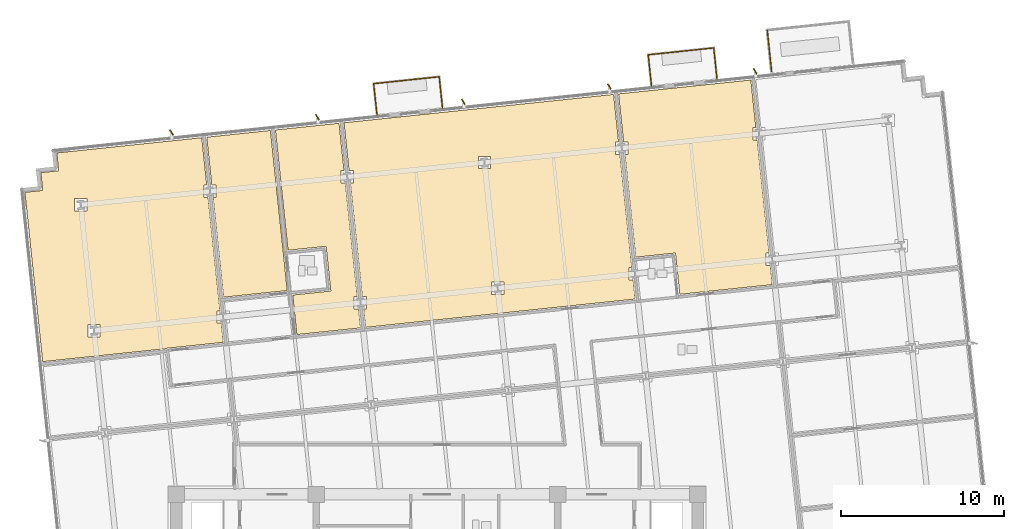
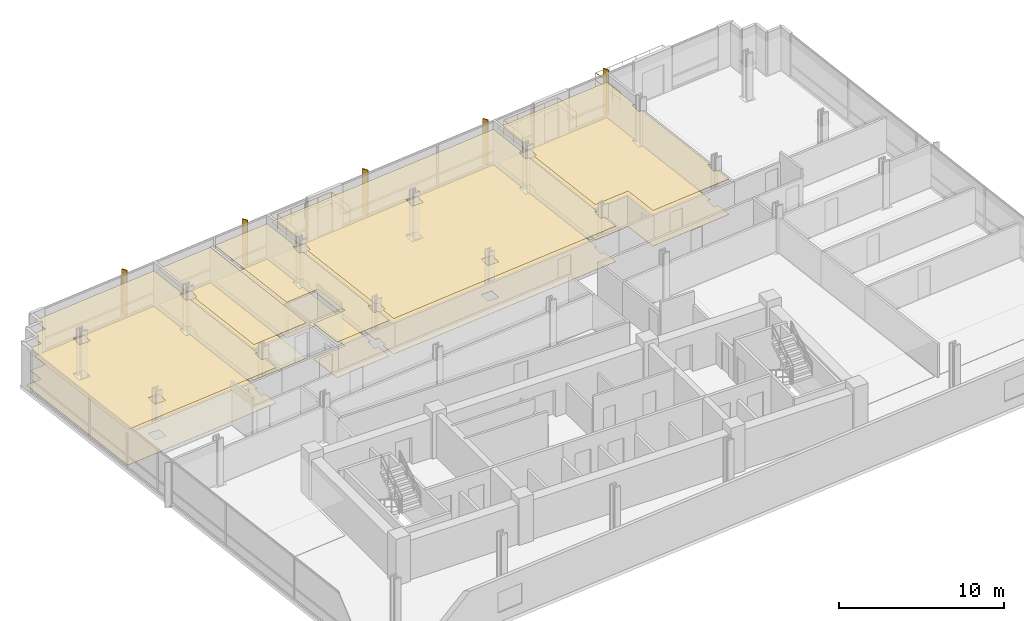
# One storey, part 19 of 21: 10 coverings, 7 railings, 5 shading devices.
"""IFC4 building model written with IfcOpenShell, lengths in metres."""

from ifc_helpers import new_model, si_unit, direction, frame, origin, origin_2d, place, context, subcontext, project, spatial, polyline, rectangle, circle, outline, extrude, material, layer, layer_set, type_object, element, save


model = new_model("IFC4")

# Units and contexts
model_context = context("Model", 3, precision=1e-05, world=origin(), true_north=direction((0.0, 1.0)))
body_context = subcontext(model_context, "Body", "Model", "MODEL_VIEW")
ifc_project = project(units=[si_unit("LENGTHUNIT", "METRE"), si_unit("AREAUNIT", "SQUARE_METRE"), si_unit("VOLUMEUNIT", "CUBIC_METRE"), si_unit("PLANEANGLEUNIT", "RADIAN"), si_unit("MASSUNIT", "GRAM", prefix="KILO")], contexts=[model_context])

# Site, building, storey
site_placement = place(None, origin())
site = spatial("IfcSite", under=ifc_project, at=site_placement, CompositionType="ELEMENT")
building_placement = place(site_placement, origin())
building = spatial("IfcBuilding", under=site, at=building_placement, Name="Solmavex Isthmus Hotel", CompositionType="ELEMENT")
storey_placement = place(building_placement, frame((0.0, 0.0, 106.35009765625)))
storey = spatial("IfcBuildingStorey", under=building, at=storey_placement, Name="L28", CompositionType="ELEMENT", Elevation=106.35009765625)

# Coverings
ifc_material_1 = material(Name="Gypsum plasterboard lining", Category="gypsum")
ifc_layer_1 = layer(ifc_material_1, 0.030029296875)
ifc_layer_set_1 = layer_set([ifc_layer_1], Name="Gypsum plasterboard lining")
covering_type_1 = type_object("IfcCoveringType", Name="COV-CEIL-GYP", PredefinedType="CEILING", material=ifc_layer_set_1)
covering_1_placement = place(storey_placement, frame((0.0, 0.0, 2.619873046875)))
element("IfcCovering", 1, at=covering_1_placement, inside=storey, type_object=covering_type_1, Name="Suspended Acoustic Ceiling L28-RM01", PredefinedType="CEILING", context=body_context, shape_type="SweptSolid", body=[
    extrude(outline(polyline([(-16.688232421875, 6.43505859375), (-16.690185546875, 6.455078125), (-13.10986328125, 6.831298828125), (-13.23291015625, 8.002197265625), (-13.4970703125, 8.002197265625), (-13.4970703125, 8.76220703125), (-13.31298828125, 8.76220703125), (-14.043212890625, 15.711669921875), (-14.307373046875, 15.711669921875), (-14.307373046875, 16.4716796875), (-14.123291015625, 16.4716796875), (-14.42919921875, 19.38232421875), (-22.49755859375, 18.5341796875), (-23.318115234375, 18.447998046875), (-23.203125, 17.35400390625), (-24.297119140625, 17.239013671875), (-24.18212890625, 16.14501953125), (-25.276123046875, 16.030029296875), (-25.18994140625, 15.20947265625), (-24.184814453125, 5.647216796875), (-16.688232421875, 6.43505859375)]), holes=[polyline([(-21.42138671875, 7.169189453125), (-21.42138671875, 7.92919921875), (-20.661376953125, 7.92919921875), (-20.661376953125, 7.169189453125), (-21.42138671875, 7.169189453125)]), polyline([(-22.231689453125, 14.878662109375), (-22.231689453125, 15.638671875), (-21.4716796875, 15.638671875), (-21.4716796875, 14.878662109375), (-22.231689453125, 14.878662109375)])]), origin(), (0.0, 0.0, 1.0), 0.030029296875),
])
covering_2_placement = place(storey_placement, frame((0.0, 0.0, 2.619873046875)))
element("IfcCovering", 2, at=covering_2_placement, inside=storey, type_object=covering_type_1, Name="Suspended Acoustic Ceiling L28-SL02-BD", PredefinedType="CEILING", context=body_context, shape_type="SweptSolid", body=[
    extrude(outline(polyline([(-13.8115234375, 16.4716796875), (-13.54736328125, 16.4716796875), (-13.54736328125, 15.711669921875), (-13.731689453125, 15.711669921875), (-13.089111328125, 9.5986328125), (-9.1875, 10.0087890625), (-10.21923828125, 19.82470703125), (-14.120849609375, 19.41455078125), (-13.927978515625, 17.5810546875), (-13.8115234375, 16.4716796875)])), origin(), (0.0, 0.0, 1.0), 0.030029296875),
])
covering_3_placement = place(storey_placement, frame((0.0, 0.0, 2.619873046875)))
element("IfcCovering", 3, at=covering_3_placement, inside=storey, type_object=covering_type_1, Name="Suspended Acoustic Ceiling L28-SV02", PredefinedType="CEILING", context=body_context, shape_type="SweptSolid", body=[
    extrude(outline(polyline([(-9.13525390625, 12.477783203125), (-6.79833984375, 12.723388671875), (-6.509765625, 9.978515625), (-8.846923828125, 9.73291015625), (-8.591796875, 7.30615234375), (-4.6904296875, 7.71630859375), (-4.8134765625, 8.886962890625), (-5.077392578125, 8.886962890625), (-5.077392578125, 9.64697265625), (-4.893310546875, 9.64697265625), (-5.623779296875, 16.5966796875), (-5.8876953125, 16.5966796875), (-5.8876953125, 17.356689453125), (-5.70361328125, 17.356689453125), (-6.009521484375, 20.26708984375), (-9.910888671875, 19.857177734375), (-9.13525390625, 12.477783203125)])), origin(), (0.0, 0.0, 1.0), 0.030029296875),
])
covering_4_placement = place(storey_placement, frame((0.0, 0.0, 2.619873046875)))
element("IfcCovering", 4, at=covering_4_placement, inside=storey, type_object=covering_type_1, Name="Suspended Acoustic Ceiling L28-RM03", PredefinedType="CEILING", context=body_context, shape_type="SweptSolid", body=[
    extrude(outline(polyline([(-4.58154296875, 9.64697265625), (-4.3173828125, 9.64697265625), (-4.3173828125, 8.886962890625), (-4.501708984375, 8.886962890625), (-4.382080078125, 7.748779296875), (6.9794921875, 8.94287109375), (9.28173828125, 9.184814453125), (12.14892578125, 9.486083984375), (12.02587890625, 10.656982421875), (11.76171875, 10.656982421875), (11.76171875, 11.4169921875), (11.946044921875, 11.4169921875), (11.215576171875, 18.366455078125), (10.951416015625, 18.366455078125), (10.951416015625, 19.12646484375), (11.1357421875, 19.12646484375), (10.829833984375, 22.037109375), (-5.701171875, 20.299560546875), (-5.391845703125, 17.356689453125), (-5.127685546875, 17.356689453125), (-5.127685546875, 16.5966796875), (-5.31201171875, 16.5966796875), (-4.58154296875, 9.64697265625)]), holes=[polyline([(3.34228515625, 9.77197265625), (3.34228515625, 10.531982421875), (4.10205078125, 10.531982421875), (4.10205078125, 9.77197265625), (3.34228515625, 9.77197265625)]), polyline([(2.53173828125, 17.4814453125), (2.53173828125, 18.241455078125), (3.291748046875, 18.241455078125), (3.291748046875, 17.4814453125), (2.53173828125, 17.4814453125)])]), origin(), (0.0, 0.0, 1.0), 0.030029296875),
])
covering_5_placement = place(storey_placement, frame((0.0, 0.0, 2.619873046875)))
element("IfcCovering", 5, at=covering_5_placement, inside=storey, type_object=covering_type_1, Name="Suspended Acoustic Ceiling L28-RM04", PredefinedType="CEILING", context=body_context, shape_type="SweptSolid", body=[
    extrude(outline(polyline([(11.447509765625, 19.12646484375), (11.71142578125, 19.12646484375), (11.71142578125, 18.366455078125), (11.52734375, 18.366455078125), (11.71142578125, 16.614501953125), (12.190673828125, 12.0546875), (14.627197265625, 12.310791015625), (14.893798828125, 9.774658203125), (20.568603515625, 10.37109375), (20.445556640625, 11.541748046875), (20.181396484375, 11.541748046875), (20.181396484375, 12.3017578125), (20.36572265625, 12.3017578125), (19.63525390625, 19.25146484375), (19.37109375, 19.25146484375), (19.37109375, 20.011474609375), (19.555419921875, 20.011474609375), (19.24951171875, 22.921875), (11.13818359375, 22.0693359375), (11.447509765625, 19.12646484375)])), origin(), (0.0, 0.0, 1.0), 0.030029296875),
])
ifc_material_2 = material(Name="Travertine natural stone", Category="masonry")
ifc_layer_2 = layer(ifc_material_2, 0.02490234375)
ifc_layer_set_2 = layer_set([ifc_layer_2], Name="Travertine natural stone")
covering_type_2 = type_object("IfcCoveringType", Name="COV-FLOR-STN", PredefinedType="FLOORING", material=ifc_layer_set_2)
covering_6_placement = place(storey_placement, origin())
element("IfcCovering", 6, at=covering_6_placement, inside=storey, type_object=covering_type_2, Name="Stone and Timber Floor Finish L28-RM01", PredefinedType="FLOORING", context=body_context, shape_type="SweptSolid", body=[
    extrude(outline(polyline([(-16.688232421875, 6.43505859375), (-16.690185546875, 6.455078125), (-13.10986328125, 6.831298828125), (-13.23291015625, 8.002197265625), (-13.4970703125, 8.002197265625), (-13.4970703125, 8.76220703125), (-13.31298828125, 8.76220703125), (-14.043212890625, 15.711669921875), (-14.307373046875, 15.711669921875), (-14.307373046875, 16.4716796875), (-14.123291015625, 16.4716796875), (-14.42919921875, 19.38232421875), (-22.49755859375, 18.5341796875), (-23.318115234375, 18.447998046875), (-23.203125, 17.35400390625), (-24.297119140625, 17.239013671875), (-24.18212890625, 16.14501953125), (-25.276123046875, 16.030029296875), (-25.18994140625, 15.20947265625), (-24.184814453125, 5.647216796875), (-16.688232421875, 6.43505859375)]), holes=[polyline([(-21.42138671875, 7.169189453125), (-21.42138671875, 7.92919921875), (-20.661376953125, 7.92919921875), (-20.661376953125, 7.169189453125), (-21.42138671875, 7.169189453125)]), polyline([(-22.231689453125, 14.878662109375), (-22.231689453125, 15.638671875), (-21.4716796875, 15.638671875), (-21.4716796875, 14.878662109375), (-22.231689453125, 14.878662109375)])]), origin(), (0.0, 0.0, 1.0), 0.02490234375),
])
covering_7_placement = place(storey_placement, origin())
element("IfcCovering", 7, at=covering_7_placement, inside=storey, type_object=covering_type_2, Name="Stone and Timber Floor Finish L28-SL02-BD", PredefinedType="FLOORING", context=body_context, shape_type="SweptSolid", body=[
    extrude(outline(polyline([(-13.8115234375, 16.4716796875), (-13.54736328125, 16.4716796875), (-13.54736328125, 15.711669921875), (-13.731689453125, 15.711669921875), (-13.089111328125, 9.5986328125), (-9.1875, 10.0087890625), (-10.21923828125, 19.82470703125), (-14.120849609375, 19.41455078125), (-13.927978515625, 17.5810546875), (-13.8115234375, 16.4716796875)])), origin(), (0.0, 0.0, 1.0), 0.02490234375),
])
covering_8_placement = place(storey_placement, origin())
element("IfcCovering", 8, at=covering_8_placement, inside=storey, type_object=covering_type_2, Name="Stone and Timber Floor Finish L28-SV02", PredefinedType="FLOORING", context=body_context, shape_type="SweptSolid", body=[
    extrude(outline(polyline([(-9.13525390625, 12.477783203125), (-6.79833984375, 12.723388671875), (-6.509765625, 9.978515625), (-8.846923828125, 9.73291015625), (-8.591796875, 7.30615234375), (-4.6904296875, 7.71630859375), (-4.8134765625, 8.886962890625), (-5.077392578125, 8.886962890625), (-5.077392578125, 9.64697265625), (-4.893310546875, 9.64697265625), (-5.623779296875, 16.5966796875), (-5.8876953125, 16.5966796875), (-5.8876953125, 17.356689453125), (-5.70361328125, 17.356689453125), (-6.009521484375, 20.26708984375), (-9.910888671875, 19.857177734375), (-9.13525390625, 12.477783203125)])), origin(), (0.0, 0.0, 1.0), 0.02490234375),
])
covering_9_placement = place(storey_placement, origin())
element("IfcCovering", 9, at=covering_9_placement, inside=storey, type_object=covering_type_2, Name="Stone and Timber Floor Finish L28-RM03", PredefinedType="FLOORING", context=body_context, shape_type="SweptSolid", body=[
    extrude(outline(polyline([(-4.58154296875, 9.64697265625), (-4.3173828125, 9.64697265625), (-4.3173828125, 8.886962890625), (-4.501708984375, 8.886962890625), (-4.382080078125, 7.748779296875), (6.9794921875, 8.94287109375), (9.28173828125, 9.184814453125), (12.14892578125, 9.486083984375), (12.02587890625, 10.656982421875), (11.76171875, 10.656982421875), (11.76171875, 11.4169921875), (11.946044921875, 11.4169921875), (11.215576171875, 18.366455078125), (10.951416015625, 18.366455078125), (10.951416015625, 19.12646484375), (11.1357421875, 19.12646484375), (10.829833984375, 22.037109375), (-5.701171875, 20.299560546875), (-5.391845703125, 17.356689453125), (-5.127685546875, 17.356689453125), (-5.127685546875, 16.5966796875), (-5.31201171875, 16.5966796875), (-4.58154296875, 9.64697265625)]), holes=[polyline([(3.34228515625, 9.77197265625), (3.34228515625, 10.531982421875), (4.10205078125, 10.531982421875), (4.10205078125, 9.77197265625), (3.34228515625, 9.77197265625)]), polyline([(2.53173828125, 17.4814453125), (2.53173828125, 18.241455078125), (3.291748046875, 18.241455078125), (3.291748046875, 17.4814453125), (2.53173828125, 17.4814453125)])]), origin(), (0.0, 0.0, 1.0), 0.02490234375),
])
covering_10_placement = place(storey_placement, origin())
element("IfcCovering", 10, at=covering_10_placement, inside=storey, type_object=covering_type_2, Name="Stone and Timber Floor Finish L28-RM04", PredefinedType="FLOORING", context=body_context, shape_type="SweptSolid", body=[
    extrude(outline(polyline([(11.447509765625, 19.12646484375), (11.71142578125, 19.12646484375), (11.71142578125, 18.366455078125), (11.52734375, 18.366455078125), (11.71142578125, 16.614501953125), (12.190673828125, 12.0546875), (14.627197265625, 12.310791015625), (14.893798828125, 9.774658203125), (20.568603515625, 10.37109375), (20.445556640625, 11.541748046875), (20.181396484375, 11.541748046875), (20.181396484375, 12.3017578125), (20.36572265625, 12.3017578125), (19.63525390625, 19.25146484375), (19.37109375, 19.25146484375), (19.37109375, 20.011474609375), (19.555419921875, 20.011474609375), (19.24951171875, 22.921875), (11.13818359375, 22.0693359375), (11.447509765625, 19.12646484375)])), origin(), (0.0, 0.0, 1.0), 0.02490234375),
])

# Railings
ifc_material_3 = material(Name="Clear low-E laminated glass", Category="glass")
ifc_layer_3 = layer(ifc_material_3, 0.080078125)
ifc_layer_set_3 = layer_set([ifc_layer_3], Name="Clear low-E laminated glass")
railing_type_1 = type_object("IfcRailingType", Name="RAIL-ATRIUM-1120", PredefinedType="BALUSTRADE", material=ifc_layer_set_3)
railing_1_placement = place(storey_placement, frame((20.52587890625, 23.434326171875, 0.0)))
element("IfcRailing", 11, at=railing_1_placement, inside=storey, type_object=railing_type_1, Name="Guardrail Balustrade L28-SG1-01", PredefinedType="BALUSTRADE", context=body_context, shape_type="SweptSolid", body=[
    extrude(circle(Radius=0.02392578125, at=origin_2d()), frame((0.0, 0.0, 1.1259765625), z_axis=(-0.104500300186, 0.994524855024, 0.0), x_axis=(-0.994524855024, -0.104500300186, 0.0)), (0.0, 0.0, 1.0), 2.548828125),
    extrude(circle(Radius=0.02392578125, at=origin_2d()), frame((0.0, 0.0, 0.574951171875), z_axis=(-0.104500300186, 0.994524855024, 0.0), x_axis=(-0.994524855024, -0.104500300186, 0.0)), (0.0, 0.0, 1.0), 2.548828125),
    extrude(circle(Radius=0.02099609375, at=origin_2d()), origin(), (0.0, 0.0, 1.0), 1.101806640625),
    extrude(circle(Radius=0.02099609375, at=origin_2d()), frame((-0.0888671875, 0.844970703125, 0.0)), (0.0, 0.0, 1.0), 1.101806640625),
    extrude(circle(Radius=0.02099609375, at=origin_2d()), frame((-0.177490234375, 1.68994140625, 0.0)), (0.0, 0.0, 1.0), 1.101806640625),
    extrude(circle(Radius=0.02099609375, at=origin_2d()), frame((-0.266357421875, 2.534912109375, 0.0)), (0.0, 0.0, 1.0), 1.101806640625),
])
ifc_layer_4 = layer(ifc_material_3, 0.070068359375)
ifc_layer_set_4 = layer_set([ifc_layer_4], Name="Clear low-E laminated glass")
railing_type_2 = type_object("IfcRailingType", Name="RAIL-GUARD-1100", PredefinedType="BALUSTRADE", material=ifc_layer_set_4)
railing_2_placement = place(storey_placement, frame((-3.68310546875, 20.7880859375, 0.0)))
element("IfcRailing", 12, at=railing_2_placement, inside=storey, type_object=railing_type_2, Name="Guardrail Balustrade L28-BAL1-01", PredefinedType="BALUSTRADE", context=body_context, shape_type="SweptSolid", body=[
    extrude(circle(Radius=0.02392578125, at=origin_2d()), frame((0.0, 0.0, 1.09619140625), z_axis=(-0.104512702575, 0.994523551758, 0.0), x_axis=(-0.994523551758, -0.104512702575, 0.0)), (0.0, 0.0, 1.0), 1.920166015625),
    extrude(circle(Radius=0.02392578125, at=origin_2d()), frame((0.0, 0.0, 0.56005859375), z_axis=(-0.104512702575, 0.994523551758, 0.0), x_axis=(-0.994523551758, -0.104512702575, 0.0)), (0.0, 0.0, 1.0), 1.920166015625),
    extrude(circle(Radius=0.02099609375, at=origin_2d()), origin(), (0.0, 0.0, 1.0), 1.072021484375),
    extrude(circle(Radius=0.02099609375, at=origin_2d()), frame((-0.100341796875, 0.954833984375, 0.0)), (0.0, 0.0, 1.0), 1.072021484375),
    extrude(circle(Radius=0.02099609375, at=origin_2d()), frame((-0.20068359375, 1.90966796875, 0.0)), (0.0, 0.0, 1.0), 1.072021484375),
])
railing_3_placement = place(storey_placement, frame((-3.8837890625, 22.69775390625, 0.0)))
element("IfcRailing", 13, at=railing_3_placement, inside=storey, type_object=railing_type_2, Name="Guardrail Balustrade L28-BAL1-02", PredefinedType="BALUSTRADE", context=body_context, shape_type="SweptSolid", body=[
    extrude(circle(Radius=0.02392578125, at=origin_2d()), frame((0.0, 0.0, 1.09619140625), z_axis=(0.994526294567, 0.104486599216, 0.0), x_axis=(-0.104486599216, 0.994526294567, 0.0)), (0.0, 0.0, 1.0), 4.0400390625),
    extrude(circle(Radius=0.02392578125, at=origin_2d()), frame((0.0, 0.0, 0.56005859375), z_axis=(0.994526294567, 0.104486599216, 0.0), x_axis=(-0.104486599216, 0.994526294567, 0.0)), (0.0, 0.0, 1.0), 4.0400390625),
    extrude(circle(Radius=0.02099609375, at=origin_2d()), origin(), (0.0, 0.0, 1.0), 1.072021484375),
    extrude(circle(Radius=0.02099609375, at=origin_2d()), frame((1.00439453125, 0.10546875, 0.0)), (0.0, 0.0, 1.0), 1.072021484375),
    extrude(circle(Radius=0.02099609375, at=origin_2d()), frame((2.0087890625, 0.2109375, 0.0)), (0.0, 0.0, 1.0), 1.072021484375),
    extrude(circle(Radius=0.02099609375, at=origin_2d()), frame((3.013427734375, 0.316650390625, 0.0)), (0.0, 0.0, 1.0), 1.072021484375),
    extrude(circle(Radius=0.02099609375, at=origin_2d()), frame((4.017822265625, 0.422119140625, 0.0)), (0.0, 0.0, 1.0), 1.072021484375),
])
railing_4_placement = place(storey_placement, frame((0.134033203125, 23.119873046875, 0.0)))
element("IfcRailing", 14, at=railing_4_placement, inside=storey, type_object=railing_type_2, Name="Guardrail Balustrade L28-BAL1-03", PredefinedType="BALUSTRADE", context=body_context, shape_type="SweptSolid", body=[
    extrude(circle(Radius=0.02392578125, at=origin_2d()), frame((0.0, 0.0, 1.09619140625), z_axis=(0.104525919671, -0.994522162708, 0.0), x_axis=(0.994522162708, 0.104525919671, 0.0)), (0.0, 0.0, 1.0), 1.919921875),
    extrude(circle(Radius=0.02392578125, at=origin_2d()), frame((0.0, 0.0, 0.56005859375), z_axis=(0.104525919671, -0.994522162708, 0.0), x_axis=(0.994522162708, 0.104525919671, 0.0)), (0.0, 0.0, 1.0), 1.919921875),
    extrude(circle(Radius=0.02099609375, at=origin_2d()), origin(), (0.0, 0.0, 1.0), 1.072021484375),
    extrude(circle(Radius=0.02099609375, at=origin_2d()), frame((0.100341796875, -0.95458984375, 0.0)), (0.0, 0.0, 1.0), 1.072021484375),
    extrude(circle(Radius=0.02099609375, at=origin_2d()), frame((0.20068359375, -1.909423828125, 0.0)), (0.0, 0.0, 1.0), 1.072021484375),
])
railing_5_placement = place(storey_placement, frame((13.156005859375, 22.55810546875, 0.0)))
element("IfcRailing", 15, at=railing_5_placement, inside=storey, type_object=railing_type_2, Name="Guardrail Balustrade L28-BAL2-01", PredefinedType="BALUSTRADE", context=body_context, shape_type="SweptSolid", body=[
    extrude(circle(Radius=0.02392578125, at=origin_2d()), frame((0.0, 0.0, 1.09619140625), z_axis=(-0.104525919671, 0.994522162708, 0.0), x_axis=(-0.994522162708, -0.104525919671, 0.0)), (0.0, 0.0, 1.0), 1.919921875),
    extrude(circle(Radius=0.02392578125, at=origin_2d()), frame((0.0, 0.0, 0.56005859375), z_axis=(-0.104525919671, 0.994522162708, 0.0), x_axis=(-0.994522162708, -0.104525919671, 0.0)), (0.0, 0.0, 1.0), 1.919921875),
    extrude(circle(Radius=0.02099609375, at=origin_2d()), origin(), (0.0, 0.0, 1.0), 1.072021484375),
    extrude(circle(Radius=0.02099609375, at=origin_2d()), frame((-0.100341796875, 0.95458984375, 0.0)), (0.0, 0.0, 1.0), 1.072021484375),
    extrude(circle(Radius=0.02099609375, at=origin_2d()), frame((-0.20068359375, 1.909423828125, 0.0)), (0.0, 0.0, 1.0), 1.072021484375),
])
railing_6_placement = place(storey_placement, frame((12.955322265625, 24.467529296875, 0.0)))
element("IfcRailing", 16, at=railing_6_placement, inside=storey, type_object=railing_type_2, Name="Guardrail Balustrade L28-BAL2-02", PredefinedType="BALUSTRADE", context=body_context, shape_type="SweptSolid", body=[
    extrude(circle(Radius=0.02392578125, at=origin_2d()), frame((0.0, 0.0, 1.09619140625), z_axis=(0.994520013058, 0.104546370699, 0.0), x_axis=(-0.104546370699, 0.994520013058, 0.0)), (0.0, 0.0, 1.0), 4.0400390625),
    extrude(circle(Radius=0.02392578125, at=origin_2d()), frame((0.0, 0.0, 0.56005859375), z_axis=(0.994520013058, 0.104546370699, 0.0), x_axis=(-0.104546370699, 0.994520013058, 0.0)), (0.0, 0.0, 1.0), 4.0400390625),
    extrude(circle(Radius=0.02099609375, at=origin_2d()), origin(), (0.0, 0.0, 1.0), 1.072021484375),
    extrude(circle(Radius=0.02099609375, at=origin_2d()), frame((1.00439453125, 0.10546875, 0.0)), (0.0, 0.0, 1.0), 1.072021484375),
    extrude(circle(Radius=0.02099609375, at=origin_2d()), frame((2.0087890625, 0.211181640625, 0.0)), (0.0, 0.0, 1.0), 1.072021484375),
    extrude(circle(Radius=0.02099609375, at=origin_2d()), frame((3.013427734375, 0.31689453125, 0.0)), (0.0, 0.0, 1.0), 1.072021484375),
    extrude(circle(Radius=0.02099609375, at=origin_2d()), frame((4.017822265625, 0.42236328125, 0.0)), (0.0, 0.0, 1.0), 1.072021484375),
])
railing_7_placement = place(storey_placement, frame((16.97314453125, 24.889892578125, 0.0)))
element("IfcRailing", 17, at=railing_7_placement, inside=storey, type_object=railing_type_2, Name="Guardrail Balustrade L28-BAL2-03", PredefinedType="BALUSTRADE", context=body_context, shape_type="SweptSolid", body=[
    extrude(circle(Radius=0.02392578125, at=origin_2d()), frame((0.0, 0.0, 1.09619140625), z_axis=(0.104525919671, -0.994522162708, 0.0), x_axis=(0.994522162708, 0.104525919671, 0.0)), (0.0, 0.0, 1.0), 1.919921875),
    extrude(circle(Radius=0.02392578125, at=origin_2d()), frame((0.0, 0.0, 0.56005859375), z_axis=(0.104525919671, -0.994522162708, 0.0), x_axis=(0.994522162708, 0.104525919671, 0.0)), (0.0, 0.0, 1.0), 1.919921875),
    extrude(circle(Radius=0.02099609375, at=origin_2d()), origin(), (0.0, 0.0, 1.0), 1.072021484375),
    extrude(circle(Radius=0.02099609375, at=origin_2d()), frame((0.100341796875, -0.95458984375, 0.0)), (0.0, 0.0, 1.0), 1.072021484375),
    extrude(circle(Radius=0.02099609375, at=origin_2d()), frame((0.20068359375, -1.909423828125, 0.0)), (0.0, 0.0, 1.0), 1.072021484375),
])

# Shading devices
ifc_material_4 = material(Name="Aluminium alloy 6063-T6", Category="aluminium")
shading_device_type = type_object("IfcShadingDeviceType", Name="SHD-FIN-CHAMP", PredefinedType="USERDEFINED", material=ifc_material_4)
for number, where, z_axis, x_axis, name in (
    (18, (-16.285888671875, 19.704833984375, -0.14013671875), (0.0, 0.0, 1.0), (-0.529919264233, 0.848048096156, 0.0), "Anodised Aluminium Solar Fin L28-N1"),
    (19, (-7.335205078125, 20.645751953125, -0.14013671875), (0.0, 0.0, 1.0), (-0.529919264233, 0.848048096156, 0.0), "Anodised Aluminium Solar Fin L28-N2"),
    (20, (1.615478515625, 21.58642578125, -0.14013671875), (0.0, 0.0, 1.0), (-0.529919264233, 0.848048096156, 0.0), "Anodised Aluminium Solar Fin L28-N3"),
    (21, (10.566162109375, 22.527099609375, -0.14013671875), (0.0, 0.0, 1.0), (-0.529919264233, 0.848048096156, 0.0), "Anodised Aluminium Solar Fin L28-N4"),
    (22, (19.516845703125, 23.468017578125, -0.14013671875), (0.0, 0.0, 1.0), (-0.529919264233, 0.848048096156, 0.0), "Anodised Aluminium Solar Fin L28-N5"),
):
    element("IfcShadingDevice", number, at=place(storey_placement, frame(where, z_axis=z_axis, x_axis=x_axis)), inside=storey, type_object=shading_device_type, Name=name, ObjectType="SOLAR_FIN", PredefinedType="USERDEFINED", context=body_context, shape_type="SweptSolid", body=[
        extrude(rectangle(XDim=0.3798828125, YDim=0.070068359375, at=origin_2d()), origin(), (0.0, 0.0, 1.0), 3.330078125),
    ])

save(model, "model.ifc")
